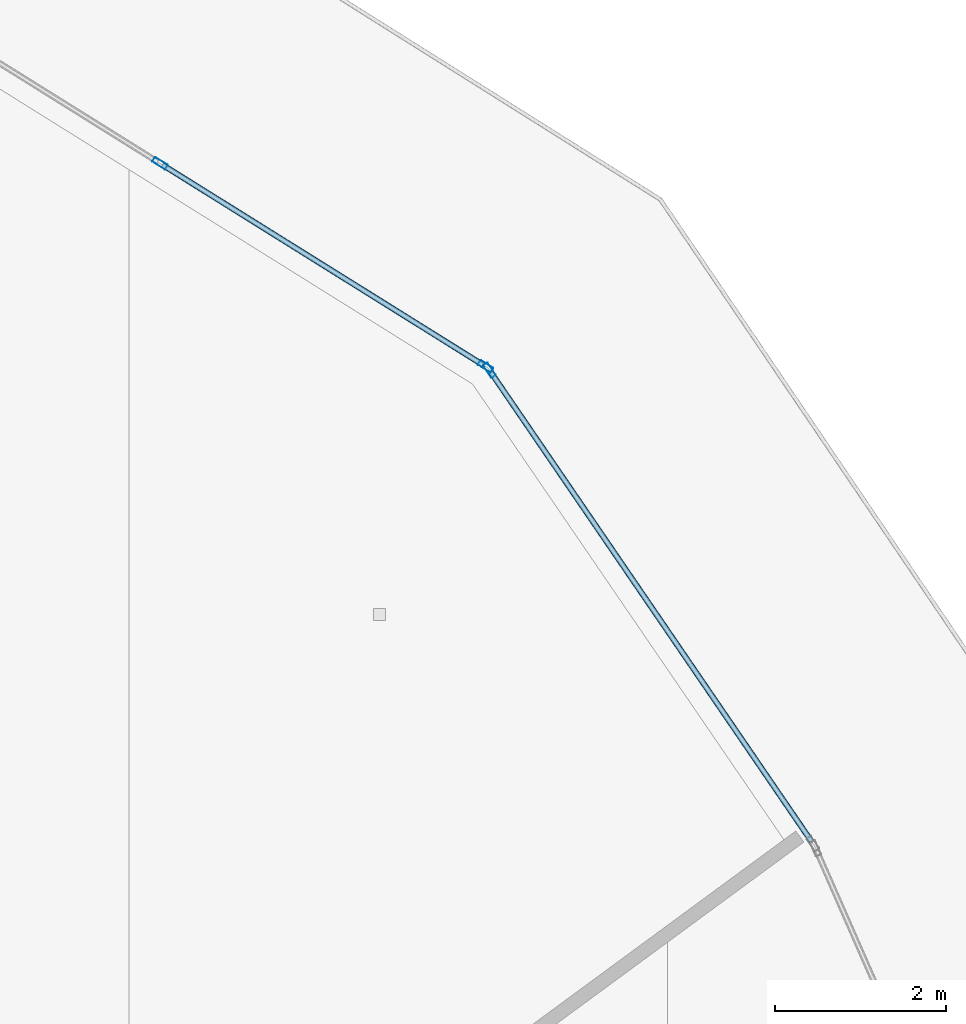
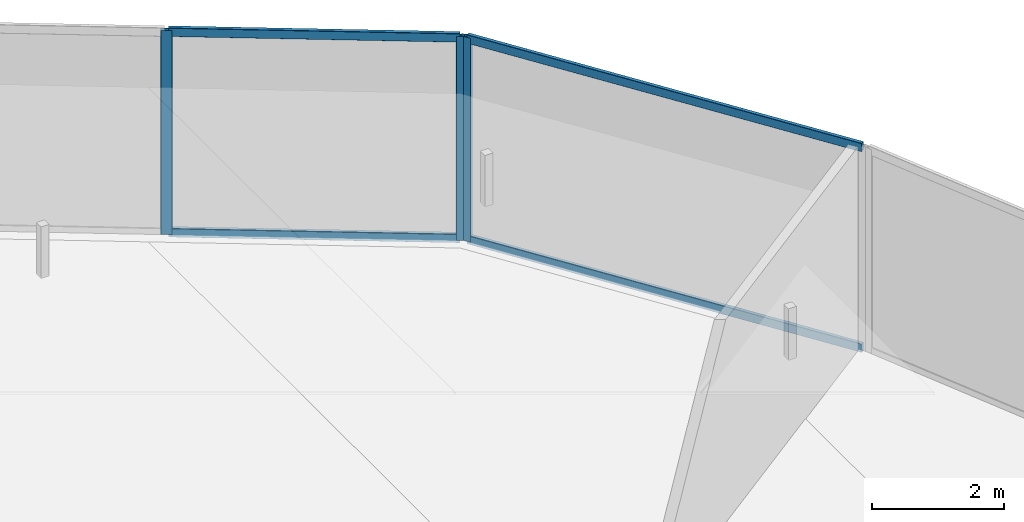
# One storey, part 24 of 40: 7 members, 2 elements without a shape of their own.
"""IFC4 building model written with IfcOpenShell, lengths in metres."""

from ifc_helpers import new_model, si_unit, direction, frame, origin, origin_2d, place, context, subcontext, project, spatial, hollow_rectangle, extrude, material, layer, layer_set, material_profile, profile_set, type_object, element, aggregate, save


model = new_model("IFC4")

# Units and contexts
model_context = context("Model", 3, precision=1e-05, world=origin(), true_north=direction((0.0, 1.0)))
body_context = subcontext(model_context, "Body", "Model", "MODEL_VIEW")
ifc_project = project(units=[si_unit("LENGTHUNIT", "METRE"), si_unit("AREAUNIT", "SQUARE_METRE"), si_unit("VOLUMEUNIT", "CUBIC_METRE"), si_unit("PLANEANGLEUNIT", "RADIAN"), si_unit("MASSUNIT", "GRAM", prefix="KILO")], contexts=[model_context])

# Site, building, storey
site_placement = place(None, origin())
site = spatial("IfcSite", under=ifc_project, at=site_placement, CompositionType="ELEMENT")
building_placement = place(site_placement, origin())
building = spatial("IfcBuilding", under=site, at=building_placement, Name="Qorvath Tower", CompositionType="ELEMENT")
storey_placement = place(building_placement, frame((0.0, 0.0, 138.14990234375)))
storey = spatial("IfcBuildingStorey", under=building, at=storey_placement, Name="L31", CompositionType="ELEMENT", Elevation=138.14990234375)

# Curtain wall, member
ifc_material_1 = material(Name="Anodised aluminium and triple low-E glass", Category="aluminium")
ifc_layer = layer(ifc_material_1, 0.179931640625)
ifc_layer_set = layer_set([ifc_layer], Name="CW-SYS-3")
curtain_wall_type = type_object("IfcCurtainWallType", Name="CW-SYS-3", PredefinedType="NOTDEFINED", material=ifc_layer_set)
curtain_wall_1_placement = place(storey_placement, origin())
curtain_wall_1 = element("IfcCurtainWall", 1, at=curtain_wall_1_placement, inside=storey, type_object=curtain_wall_type, Name="Curtain Wall CW-3 CW-T-L31-13.1", PredefinedType="NOTDEFINED")
ifc_material_2 = material(Name="Anodised aluminium 6063-T6", Category="aluminium")
ifc_material_profile_1 = material_profile(ifc_material_2, hollow_rectangle(XDim=0.06494140625, YDim=0.179931640625, WallThickness=0.00341796875, InnerFilletRadius=0.00341796875, OuterFilletRadius=0.007080078125, at=origin_2d()), Name="CWM 180x65")
ifc_profile_set_1 = profile_set([ifc_material_profile_1], Name="Anodised aluminium 6063-T6")
member_type_1 = type_object("IfcMemberType", Name="CWM-180", PredefinedType="MULLION", material=ifc_profile_set_1)
member_1_placement = place(storey_placement, frame((-3.928955078125, 23.2373046875, 0.0), z_axis=(0.0, 0.0, 1.0), x_axis=(-0.825622735214, -0.56422256167, 0.0)))
member_1 = element("IfcMember", 2, at=member_1_placement, type_object=member_type_1, Name="CW-3 mullion 2", PredefinedType="MULLION", context=body_context, shape_type="SweptSolid", body=[
    extrude(hollow_rectangle(XDim=0.06494140625, YDim=0.179931640625, WallThickness=0.00341796875, InnerFilletRadius=0.00341796875, OuterFilletRadius=0.007080078125, at=origin_2d()), origin(), (0.0, 0.0, 1.0), 3.780029296875),
])

# Curtain wall, members
curtain_wall_2_placement = place(storey_placement, origin())
curtain_wall_2 = element("IfcCurtainWall", 3, at=curtain_wall_2_placement, inside=storey, type_object=curtain_wall_type, Name="Curtain Wall CW-3 CW-T-L31-14.1", PredefinedType="NOTDEFINED")
member_2_placement = place(storey_placement, frame((-3.974853515625, 23.281494140625, 0.0), z_axis=(0.0, 0.0, 1.0), x_axis=(-0.529439947431, -0.848347418258, 0.0)))
member_2 = element("IfcMember", 4, at=member_2_placement, type_object=member_type_1, Name="CW-3 mullion 1", PredefinedType="MULLION", context=body_context, shape_type="SweptSolid", body=[
    extrude(hollow_rectangle(XDim=0.06494140625, YDim=0.179931640625, WallThickness=0.00341796875, InnerFilletRadius=0.00341796875, OuterFilletRadius=0.007080078125, at=origin_2d()), origin(), (0.0, 0.0, 1.0), 3.780029296875),
])
member_3_placement = place(storey_placement, frame((-7.781494140625, 25.656982421875, 0.0), z_axis=(0.0, 0.0, 1.0), x_axis=(-0.529439947431, -0.848347418258, 0.0)))
member_3 = element("IfcMember", 5, at=member_3_placement, type_object=member_type_1, Name="CW-3 mullion 2", PredefinedType="MULLION", context=body_context, shape_type="SweptSolid", body=[
    extrude(hollow_rectangle(XDim=0.06494140625, YDim=0.179931640625, WallThickness=0.00341796875, InnerFilletRadius=0.00341796875, OuterFilletRadius=0.007080078125, at=origin_2d()), origin(), (0.0, 0.0, 1.0), 3.780029296875),
])

# Member
ifc_material_3 = material(Name="Anodised aluminium 6063-T6", Category="aluminium")
ifc_material_profile_2 = material_profile(ifc_material_3, hollow_rectangle(XDim=0.06494140625, YDim=0.159912109375, WallThickness=0.00341796875, InnerFilletRadius=0.00341796875, OuterFilletRadius=0.007080078125, at=origin_2d()), Name="CWT 160x65")
ifc_profile_set_2 = profile_set([ifc_material_profile_2], Name="Anodised aluminium 6063-T6")
member_type_2 = type_object("IfcMemberType", Name="CWT-160", PredefinedType="USERDEFINED", material=ifc_profile_set_2)
member_4_placement = place(storey_placement, frame((-0.16455078125, 17.72900390625, 0.032470703125), z_axis=(-0.564235625395, 0.82561380744, 0.0), x_axis=(-0.82561380744, -0.564235625395, 0.0)))
member_4 = element("IfcMember", 6, at=member_4_placement, type_object=member_type_2, Name="CW-3 transom 1.1", ObjectType="TRANSOM", PredefinedType="USERDEFINED", context=body_context, shape_type="SweptSolid", body=[
    extrude(hollow_rectangle(XDim=0.06494140625, YDim=0.159912109375, WallThickness=0.00341796875, InnerFilletRadius=0.00341796875, OuterFilletRadius=0.007080078125, at=origin_2d()), origin(), (0.0, 0.0, 1.0), 6.63916015625),
])

member_5_placement = place(storey_placement, frame((-0.16455078125, 17.72900390625, 3.74755859375), z_axis=(-0.564235625395, 0.82561380744, 0.0), x_axis=(-0.82561380744, -0.564235625395, 0.0)))
member_5 = element("IfcMember", 7, at=member_5_placement, type_object=member_type_2, Name="CW-3 transom 1.2", ObjectType="TRANSOM", PredefinedType="USERDEFINED", context=body_context, shape_type="SweptSolid", body=[
    extrude(hollow_rectangle(XDim=0.06494140625, YDim=0.159912109375, WallThickness=0.00341796875, InnerFilletRadius=0.00341796875, OuterFilletRadius=0.007080078125, at=origin_2d()), origin(), (0.0, 0.0, 1.0), 6.63916015625),
])

aggregate(curtain_wall_1, [member_1, member_4, member_5])

member_6_placement = place(storey_placement, frame((-4.00244140625, 23.298583984375, 0.032470703125), z_axis=(-0.848339306636, 0.529452944855, 0.0), x_axis=(-0.529452944855, -0.848339306636, 0.0)))
member_6 = element("IfcMember", 8, at=member_6_placement, type_object=member_type_2, Name="CW-3 transom 1.1", ObjectType="TRANSOM", PredefinedType="USERDEFINED", context=body_context, shape_type="SweptSolid", body=[
    extrude(hollow_rectangle(XDim=0.06494140625, YDim=0.159912109375, WallThickness=0.00341796875, InnerFilletRadius=0.00341796875, OuterFilletRadius=0.007080078125, at=origin_2d()), origin(), (0.0, 0.0, 1.0), 4.422119140625),
])

member_7_placement = place(storey_placement, frame((-4.00244140625, 23.298583984375, 3.74755859375), z_axis=(-0.848339306636, 0.529452944855, 0.0), x_axis=(-0.529452944855, -0.848339306636, 0.0)))
member_7 = element("IfcMember", 9, at=member_7_placement, type_object=member_type_2, Name="CW-3 transom 1.2", ObjectType="TRANSOM", PredefinedType="USERDEFINED", context=body_context, shape_type="SweptSolid", body=[
    extrude(hollow_rectangle(XDim=0.06494140625, YDim=0.159912109375, WallThickness=0.00341796875, InnerFilletRadius=0.00341796875, OuterFilletRadius=0.007080078125, at=origin_2d()), origin(), (0.0, 0.0, 1.0), 4.422119140625),
])

aggregate(curtain_wall_2, [member_2, member_3, member_6, member_7])

save(model, "model.ifc")
